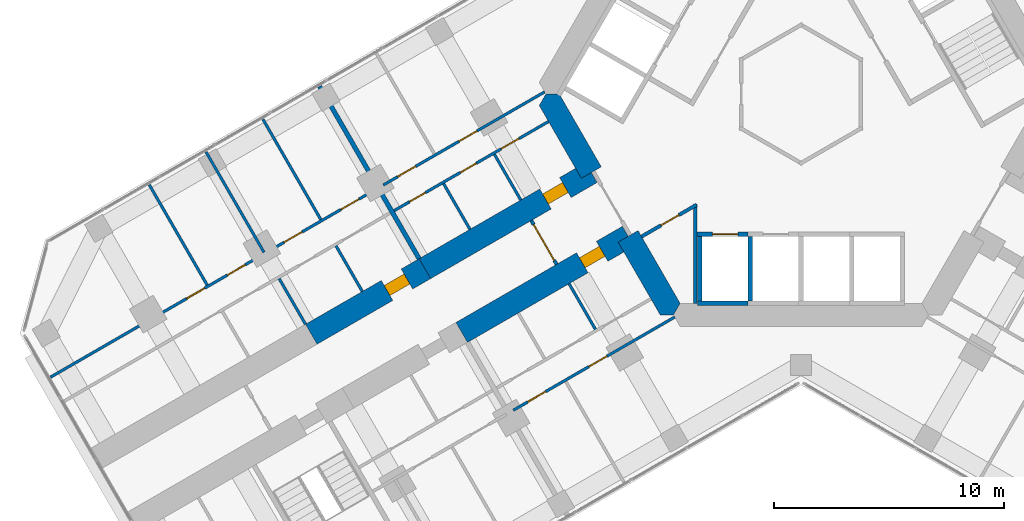
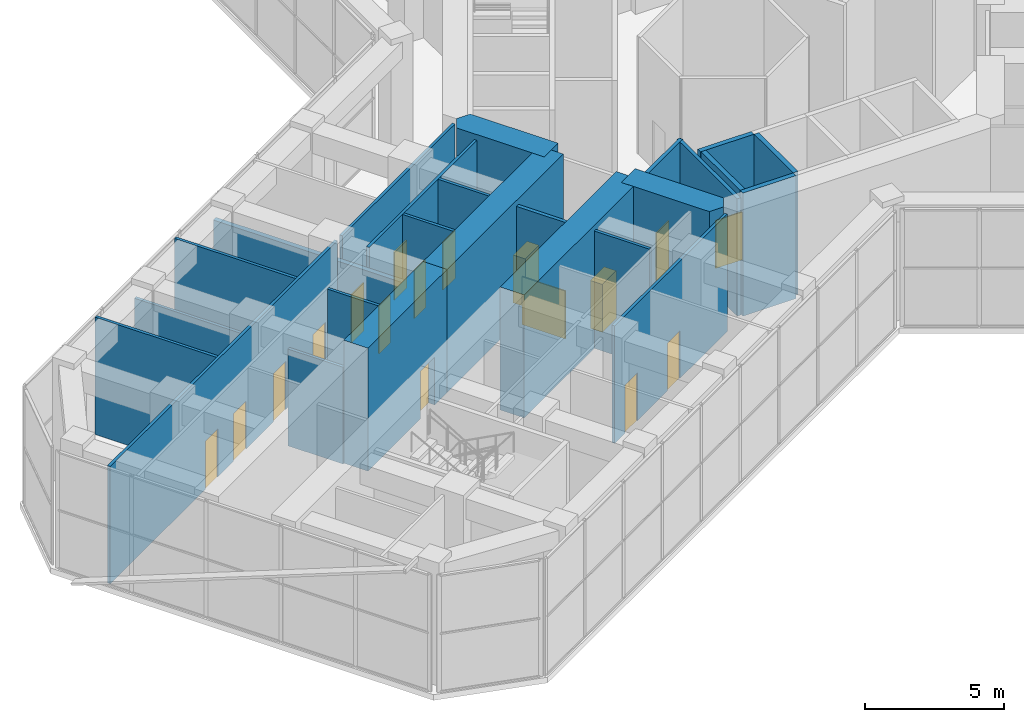
# One storey, part 15 of 23: 25 walls, 17 doors, 17 openings.
"""IFC4 building model written with IfcOpenShell, lengths in metres."""

from ifc_helpers import new_model, si_unit, direction, frame, frame_2d, origin, place, context, subcontext, project, spatial, polyline, rectangle, outline, extrude, material, layer, layer_set, type_object, element, fill, save


model = new_model("IFC4")

# Units and contexts
model_context = context("Model", 3, precision=1e-05, world=origin(), true_north=direction((0.0, 1.0)))
body_context = subcontext(model_context, "Body", "Model", "MODEL_VIEW")
ifc_project = project(units=[si_unit("LENGTHUNIT", "METRE"), si_unit("AREAUNIT", "SQUARE_METRE"), si_unit("VOLUMEUNIT", "CUBIC_METRE"), si_unit("PLANEANGLEUNIT", "RADIAN"), si_unit("MASSUNIT", "GRAM", prefix="KILO")], contexts=[model_context])

# Site, building, storey
site_placement = place(None, origin())
site = spatial("IfcSite", under=ifc_project, at=site_placement, CompositionType="ELEMENT")
building_placement = place(site_placement, origin())
building = spatial("IfcBuilding", under=site, at=building_placement, Name="Kosmar Iwan School Tower", CompositionType="ELEMENT")
storey_placement = place(building_placement, frame((0.0, 0.0, 75.39990234375)))
storey = spatial("IfcBuildingStorey", under=building, at=storey_placement, Name="L18", CompositionType="ELEMENT", Elevation=75.39990234375)

# Wall, opening, door
ifc_material_1 = material(Name="Gypsum board on steel studs, fire-rated", Category="steel")
ifc_layer_1 = layer(ifc_material_1, 0.14990234375)
ifc_layer_set_1 = layer_set([ifc_layer_1], Name="Core room partition 150")
wall_type_1 = type_object("IfcWallType", Name="Core room partition 150", PredefinedType="PARTITIONING", material=ifc_layer_set_1)
wall_1_placement = place(storey_placement, frame((-6.930908203125, -6.195556640625, 0.0), z_axis=(0.0, 0.0, 1.0), x_axis=(0.866007755774, 0.500030566006, 0.0)))
wall_1 = element("IfcWall", 1, at=wall_1_placement, inside=storey, type_object=wall_type_1, Name="Core room partition L18-CW10", PredefinedType="PARTITIONING", context=body_context, shape_type="SweptSolid", body=[
    extrude(rectangle(XDim=2.766357421875, YDim=0.14990234375, at=frame_2d((1.38330078125, 0.0))), origin(), (0.0, 0.0, 1.0), 5.150146484375),
])
opening_1_placement = place(wall_1_placement, frame((0.97607421875, 0.0, 0.0)))
opening_1 = element("IfcOpeningElement", 2, at=opening_1_placement, cuts=wall_1, Name="Opening D14", PredefinedType="OPENING", context=body_context, shape_type="SweptSolid", body=[
    extrude(rectangle(XDim=0.89990234375, YDim=2.10009765625, at=frame_2d((0.449951171875, 1.050048828125))), frame((0.0, 0.0869140625, 0.0), z_axis=(0.0, -1.0, 0.0), x_axis=(1.0, 0.0, 0.0)), (0.0, 0.0, 1.0), 0.173828125),
])
ifc_material_2 = material(Name="Timber fire door in steel frame", Category="steel")
door_type_1 = type_object("IfcDoorType", Name="Core room door 900x2100", OperationType="SINGLE_SWING_LEFT", PredefinedType="DOOR", material=ifc_material_2)
door_1_placement = place(opening_1_placement, origin())
door_1 = element("IfcDoor", 3, at=door_1_placement, inside=storey, type_object=door_type_1, Name="Communications room door L18 4", OperationType="SINGLE_SWING_RIGHT", OverallHeight=2.10009765625, OverallWidth=0.89990234375, PredefinedType="DOOR", context=body_context, shape_type="SweptSolid", body=[
    extrude(rectangle(XDim=0.89990234375, YDim=2.10009765625, at=frame_2d((0.449951171875, 1.050048828125))), frame((0.0, 0.02490234375, 0.0), z_axis=(0.0, -1.0, 0.0), x_axis=(1.0, 0.0, 0.0)), (0.0, 0.0, 1.0), 0.050048828125),
])
fill(opening_1, door_1)

# Walls
wall_2_placement = place(storey_placement, frame((-4.60009765625, -4.774658203125, 0.0), z_axis=(0.0, 0.0, 1.0), x_axis=(0.0, -1.0, 0.0)))
element("IfcWall", 4, at=wall_2_placement, inside=storey, type_object=wall_type_1, Name="Core room partition L18-CW11", PredefinedType="PARTITIONING", context=body_context, shape_type="SweptSolid", body=[
    extrude(rectangle(XDim=4.3203125, YDim=0.14990234375, at=frame_2d((2.16015625, 0.0))), origin(), (0.0, 0.0, 1.0), 5.150146484375),
])
ifc_material_3 = material(Name="Concrete C50/60", Category="concrete")
ifc_layer_2 = layer(ifc_material_3, 1.0)
ifc_layer_set_2 = layer_set([ifc_layer_2], Name="Core wall 1000")
wall_type_2 = type_object("IfcWallType", Name="Core wall 1000", PredefinedType="SHEAR", material=ifc_layer_set_2)
wall_3_placement = place(storey_placement, origin())
element("IfcWall", 5, at=wall_3_placement, inside=storey, type_object=wall_type_2, Name="Core wall F210a", PredefinedType="SHEAR", context=body_context, shape_type="SweptSolid", body=[
    extrude(outline(polyline([(-9.546875, -3.664306640625), (-8.680908203125, -3.164306640625), (-10.5078125, 0.0), (-11.085205078125, 0.0), (-11.373779296875, -0.5), (-9.546875, -3.664306640625)])), origin(), (0.0, 0.0, 1.0), 5.400146484375),
])
wall_4_placement = place(storey_placement, origin())
element("IfcWall", 6, at=wall_4_placement, inside=storey, type_object=wall_type_2, Name="Core wall F210b", PredefinedType="SHEAR", context=body_context, shape_type="SweptSolid", body=[
    extrude(outline(polyline([(-6.119873046875, -9.60009765625), (-5.54248046875, -9.60009765625), (-5.25390625, -9.10009765625), (-7.080810546875, -5.935546875), (-7.94677734375, -6.435546875), (-6.119873046875, -9.60009765625)])), origin(), (0.0, 0.0, 1.0), 5.400146484375),
])

# Wall, opening, door
ifc_material_4 = material(Name="Concrete C50/60", Category="concrete")
ifc_layer_3 = layer(ifc_material_4, 1.0)
ifc_layer_set_3 = layer_set([ifc_layer_3], Name="Corridor buttress wall 1000")
wall_type_3 = type_object("IfcWallType", Name="Corridor buttress wall 1000", PredefinedType="SHEAR", material=ifc_layer_set_3)
wall_5_placement = place(storey_placement, frame((-7.513916015625, -6.185546875, 0.0), z_axis=(0.0, 0.0, 1.0), x_axis=(-0.866019549707, -0.500010139422, 0.0)))
wall_5 = element("IfcWall", 7, at=wall_5_placement, inside=storey, type_object=wall_type_3, Name="Corridor wall BL", PredefinedType="SHEAR", context=body_context, shape_type="SweptSolid", body=[
    extrude(rectangle(XDim=8.349853515625, YDim=1.0, at=frame_2d((4.1748046875, 0.0))), origin(), (0.0, 0.0, 1.0), 5.400146484375),
])
opening_2_placement = place(wall_5_placement, frame((1.300048828125, 0.0, 0.0)))
opening_2 = element("IfcOpeningElement", 8, at=opening_2_placement, cuts=wall_5, Name="Opening D1", PredefinedType="OPENING", context=body_context, shape_type="SweptSolid", body=[
    extrude(rectangle(XDim=1.0, YDim=2.10009765625, at=frame_2d((0.5, 1.050048828125))), frame((0.0, 0.511962890625, 0.0), z_axis=(0.0, -1.0, 0.0), x_axis=(1.0, 0.0, 0.0)), (0.0, 0.0, 1.0), 1.02392578125),
])
ifc_material_5 = material(Name="Timber fire door in steel frame", Category="steel")
door_type_2 = type_object("IfcDoorType", Name="Flat entrance door 1000x2100", OperationType="SINGLE_SWING_LEFT", PredefinedType="DOOR", material=ifc_material_5)
door_2_placement = place(opening_2_placement, origin())
door_2 = element("IfcDoor", 9, at=door_2_placement, inside=storey, type_object=door_type_2, Name="Flat L18-BL1 entrance door", OperationType="SINGLE_SWING_RIGHT", OverallHeight=2.10009765625, OverallWidth=1.0, PredefinedType="DOOR", context=body_context, shape_type="SweptSolid", body=[
    extrude(rectangle(XDim=1.0, YDim=2.10009765625, at=frame_2d((0.5, 1.050048828125))), frame((0.0, 0.25, 0.0), z_axis=(0.0, -1.0, 0.0), x_axis=(1.0, 0.0, 0.0)), (0.0, 0.0, 1.0), 0.5),
])
fill(opening_2, door_2)

wall_6_placement = place(storey_placement, frame((-9.11376953125, -3.414306640625, 0.0), z_axis=(0.0, 0.0, 1.0), x_axis=(-0.866026859388, -0.499997478812, 0.0)))
wall_6 = element("IfcWall", 10, at=wall_6_placement, inside=storey, type_object=wall_type_3, Name="Corridor wall BR", PredefinedType="SHEAR", context=body_context, shape_type="SweptSolid", body=[
    extrude(rectangle(XDim=8.35009765625, YDim=1.0, at=frame_2d((4.175048828125, 0.0))), origin(), (0.0, 0.0, 1.0), 5.400146484375),
])
opening_3_placement = place(wall_6_placement, frame((1.300048828125, 0.0, 0.0)))
opening_3 = element("IfcOpeningElement", 11, at=opening_3_placement, cuts=wall_6, Name="Opening D1", PredefinedType="OPENING", context=body_context, shape_type="SweptSolid", body=[
    extrude(rectangle(XDim=1.0, YDim=2.10009765625, at=frame_2d((0.5, 1.050048828125))), frame((0.0, 0.511962890625, 0.0), z_axis=(0.0, -1.0, 0.0), x_axis=(1.0, 0.0, 0.0)), (0.0, 0.0, 1.0), 1.02392578125),
])
door_3_placement = place(opening_3_placement, origin())
door_3 = element("IfcDoor", 12, at=door_3_placement, inside=storey, type_object=door_type_2, Name="Flat L18-BR1 entrance door", OperationType="SINGLE_SWING_RIGHT", OverallHeight=2.10009765625, OverallWidth=1.0, PredefinedType="DOOR", context=body_context, shape_type="SweptSolid", body=[
    extrude(rectangle(XDim=1.0, YDim=2.10009765625, at=frame_2d((0.5, 1.050048828125))), frame((0.0, 0.25, 0.0), z_axis=(0.0, -1.0, 0.0), x_axis=(1.0, 0.0, 0.0)), (0.0, 0.0, 1.0), 0.5),
])
fill(opening_3, door_3)

wall_7_placement = place(storey_placement, frame((-16.34521484375, -7.58935546875, 0.0), z_axis=(0.0, 0.0, 1.0), x_axis=(-0.866015111908, -0.50001782563, 0.0)))
wall_7 = element("IfcWall", 13, at=wall_7_placement, inside=storey, type_object=wall_type_3, Name="Corridor wall BR bay 2", PredefinedType="SHEAR", context=body_context, shape_type="SweptSolid", body=[
    extrude(rectangle(XDim=5.699951171875, YDim=1.0, at=frame_2d((2.85009765625, 0.0))), origin(), (0.0, 0.0, 1.0), 5.400146484375),
])
opening_4_placement = place(wall_7_placement, frame((0.89990234375, 0.0, 0.0)))
opening_4 = element("IfcOpeningElement", 14, at=opening_4_placement, cuts=wall_7, Name="Opening D1", PredefinedType="OPENING", context=body_context, shape_type="SweptSolid", body=[
    extrude(rectangle(XDim=1.0, YDim=2.10009765625, at=frame_2d((0.5, 1.050048828125))), frame((0.0, 0.511962890625, 0.0), z_axis=(0.0, -1.0, 0.0), x_axis=(1.0, 0.0, 0.0)), (0.0, 0.0, 1.0), 1.02392578125),
])
door_4_placement = place(opening_4_placement, origin())
door_4 = element("IfcDoor", 15, at=door_4_placement, inside=storey, type_object=door_type_2, Name="Flat L18-BR2 entrance door", OperationType="SINGLE_SWING_LEFT", OverallHeight=2.10009765625, OverallWidth=1.0, PredefinedType="DOOR", context=body_context, shape_type="SweptSolid", body=[
    extrude(rectangle(XDim=1.0, YDim=2.10009765625, at=frame_2d((0.5, 1.050048828125))), frame((0.0, 0.25, 0.0), z_axis=(0.0, -1.0, 0.0), x_axis=(1.0, 0.0, 0.0)), (0.0, 0.0, 1.0), 0.5),
])
fill(opening_4, door_4)

ifc_material_6 = material(Name="Gypsum board on steel studs, fire-rated", Category="steel")
ifc_layer_4 = layer(ifc_material_6, 0.14990234375)
ifc_layer_set_4 = layer_set([ifc_layer_4], Name="Corridor end wall 150")
wall_type_4 = type_object("IfcWallType", Name="Corridor end wall 150", PredefinedType="PARTITIONING", material=ifc_layer_set_4)
wall_8_placement = place(storey_placement, frame((-11.7216796875, -5.497314453125, 0.0), z_axis=(0.0, 0.0, 1.0), x_axis=(0.499946605688, -0.86605622881, 0.0)))
wall_8 = element("IfcWall", 16, at=wall_8_placement, inside=storey, type_object=wall_type_4, Name="Partition L18-B-HW", PredefinedType="PARTITIONING", context=body_context, shape_type="SweptSolid", body=[
    extrude(rectangle(XDim=2.199951171875, YDim=0.14990234375, at=frame_2d((1.10009765625, 0.0))), origin(), (0.0, 0.0, 1.0), 5.150146484375),
])
opening_5_placement = place(wall_8_placement, frame((0.199951171875, 0.0, 0.0)))
opening_5 = element("IfcOpeningElement", 17, at=opening_5_placement, cuts=wall_8, Name="Opening D9", PredefinedType="OPENING", context=body_context, shape_type="SweptSolid", body=[
    extrude(rectangle(XDim=1.800048828125, YDim=2.10009765625, at=frame_2d((0.89990234375, 1.050048828125))), frame((0.0, 0.0869140625, 0.0), z_axis=(0.0, -1.0, 0.0), x_axis=(1.0, 0.0, 0.0)), (0.0, 0.0, 1.0), 0.173828125),
])
ifc_material_7 = material(Name="Steel framed glazed smoke door", Category="steel")
door_type_3 = type_object("IfcDoorType", Name="Corridor smoke door pair 1800x2100", OperationType="DOUBLE_DOOR_DOUBLE_SWING", PredefinedType="DOOR", material=ifc_material_7)
door_5_placement = place(opening_5_placement, origin())
door_5 = element("IfcDoor", 18, at=door_5_placement, inside=storey, type_object=door_type_3, Name="Entrance vestibule smoke doors L18-B", OperationType="DOUBLE_DOOR_DOUBLE_SWING", OverallHeight=2.10009765625, OverallWidth=1.800048828125, PredefinedType="DOOR", context=body_context, shape_type="SweptSolid", body=[
    extrude(rectangle(XDim=1.800048828125, YDim=2.10009765625, at=frame_2d((0.89990234375, 1.050048828125))), frame((0.0, 0.02490234375, 0.0), z_axis=(0.0, -1.0, 0.0), x_axis=(1.0, 0.0, 0.0)), (0.0, 0.0, 1.0), 0.050048828125),
])
fill(opening_5, door_5)

# Wall, openings, doors
ifc_material_8 = material(Name="Gypsum board on steel studs", Category="steel")
ifc_layer_5 = layer(ifc_material_8, 0.1201171875)
ifc_layer_set_5 = layer_set([ifc_layer_5], Name="Dwelling partition 120")
wall_type_5 = type_object("IfcWallType", Name="Dwelling partition 120", PredefinedType="PARTITIONING", material=ifc_layer_set_5)
wall_9_placement = place(storey_placement, frame((-5.48876953125, -9.693115234375, 0.0), z_axis=(0.0, 0.0, 1.0), x_axis=(-0.866025472755, -0.499999880539, 0.0)))
wall_9 = element("IfcWall", 19, at=wall_9_placement, inside=storey, type_object=wall_type_5, Name="Partition L18-BL1-W2", PredefinedType="PARTITIONING", context=body_context, shape_type="SweptSolid", body=[
    extrude(rectangle(XDim=8.10009765625, YDim=0.1201171875, at=frame_2d((4.050048828125, 0.0))), origin(), (0.0, 0.0, 1.0), 5.150146484375),
])
opening_6_placement = place(wall_9_placement, frame((3.39990234375, 0.0, 0.0)))
opening_6 = element("IfcOpeningElement", 20, at=opening_6_placement, cuts=wall_9, Name="Opening D2", PredefinedType="OPENING", context=body_context, shape_type="SweptSolid", body=[
    extrude(rectangle(XDim=0.89990234375, YDim=2.10009765625, at=frame_2d((0.449951171875, 1.050048828125))), frame((0.0, 0.072021484375, 0.0), z_axis=(0.0, -1.0, 0.0), x_axis=(1.0, 0.0, 0.0)), (0.0, 0.0, 1.0), 0.14404296875),
])
opening_7_placement = place(wall_9_placement, frame((6.47509765625, 0.0, 0.0)))
opening_7 = element("IfcOpeningElement", 21, at=opening_7_placement, cuts=wall_9, Name="Opening D2", PredefinedType="OPENING", context=body_context, shape_type="SweptSolid", body=[
    extrude(rectangle(XDim=0.89990234375, YDim=2.10009765625, at=frame_2d((0.449951171875, 1.050048828125))), frame((0.0, 0.072021484375, 0.0), z_axis=(0.0, -1.0, 0.0), x_axis=(1.0, 0.0, 0.0)), (0.0, 0.0, 1.0), 0.14404296875),
])
ifc_material_9 = material(Name="Timber door in timber frame", Category="wood")
door_type_4 = type_object("IfcDoorType", Name="Internal door 900x2100", OperationType="SINGLE_SWING_LEFT", PredefinedType="DOOR", material=ifc_material_9)
door_6_placement = place(opening_6_placement, origin())
door_6 = element("IfcDoor", 22, at=door_6_placement, inside=storey, type_object=door_type_4, Name="Living room and kitchen door L18-BL1-F1", OperationType="SINGLE_SWING_RIGHT", OverallHeight=2.10009765625, OverallWidth=0.89990234375, PredefinedType="DOOR", context=body_context, shape_type="SweptSolid", body=[
    extrude(rectangle(XDim=0.89990234375, YDim=2.10009765625, at=frame_2d((0.449951171875, 1.050048828125))), frame((0.0, 0.02490234375, 0.0), z_axis=(0.0, -1.0, 0.0), x_axis=(1.0, 0.0, 0.0)), (0.0, 0.0, 1.0), 0.050048828125),
])
fill(opening_6, door_6)
door_7_placement = place(opening_7_placement, origin())
door_7 = element("IfcDoor", 23, at=door_7_placement, inside=storey, type_object=door_type_4, Name="Bedroom 1 door L18-BL1-F2", OperationType="SINGLE_SWING_RIGHT", OverallHeight=2.10009765625, OverallWidth=0.89990234375, PredefinedType="DOOR", context=body_context, shape_type="SweptSolid", body=[
    extrude(rectangle(XDim=0.89990234375, YDim=2.10009765625, at=frame_2d((0.449951171875, 1.050048828125))), frame((0.0, 0.02490234375, 0.0), z_axis=(0.0, -1.0, 0.0), x_axis=(1.0, 0.0, 0.0)), (0.0, 0.0, 1.0), 0.050048828125),
])
fill(opening_7, door_7)

# Wall
wall_10_placement = place(storey_placement, frame((-10.078369140625, -8.24365234375, 0.0), z_axis=(0.0, 0.0, 1.0), x_axis=(0.500014693593, -0.866016920268, 0.0)))
element("IfcWall", 24, at=wall_10_placement, inside=storey, type_object=wall_type_5, Name="Partition L18-BL1-Y1", PredefinedType="PARTITIONING", context=body_context, shape_type="SweptSolid", body=[
    extrude(rectangle(XDim=2.2900390625, YDim=0.1201171875, at=frame_2d((1.14501953125, 0.0))), origin(), (0.0, 0.0, 1.0), 5.150146484375),
])

# Wall, openings, doors
wall_11_placement = place(storey_placement, frame((-10.971923828125, -1.1962890625, 0.0), z_axis=(0.0, 0.0, 1.0), x_axis=(-0.866024534185, -0.500001506187, 0.0)))
wall_11 = element("IfcWall", 25, at=wall_11_placement, inside=storey, type_object=wall_type_5, Name="Partition L18-BR1-W1", PredefinedType="PARTITIONING", context=body_context, shape_type="SweptSolid", body=[
    extrude(rectangle(XDim=7.75, YDim=0.1201171875, at=frame_2d((3.875, 0.0))), origin(), (0.0, 0.0, 1.0), 5.150146484375),
])
opening_8_placement = place(wall_11_placement, frame((1.47509765625, 0.0, 0.0)))
opening_8 = element("IfcOpeningElement", 26, at=opening_8_placement, cuts=wall_11, Name="Opening D2", PredefinedType="OPENING", context=body_context, shape_type="SweptSolid", body=[
    extrude(rectangle(XDim=0.89990234375, YDim=2.10009765625, at=frame_2d((0.449951171875, 1.050048828125))), frame((0.0, 0.072021484375, 0.0), z_axis=(0.0, -1.0, 0.0), x_axis=(1.0, 0.0, 0.0)), (0.0, 0.0, 1.0), 0.14404296875),
])
opening_9_placement = place(wall_11_placement, frame((3.625, 0.0, 0.0)))
opening_9 = element("IfcOpeningElement", 27, at=opening_9_placement, cuts=wall_11, Name="Opening D3", PredefinedType="OPENING", context=body_context, shape_type="SweptSolid", body=[
    extrude(rectangle(XDim=0.800048828125, YDim=2.10009765625, at=frame_2d((0.39990234375, 1.050048828125))), frame((0.0, 0.072021484375, 0.0), z_axis=(0.0, -1.0, 0.0), x_axis=(1.0, 0.0, 0.0)), (0.0, 0.0, 1.0), 0.14404296875),
])
opening_10_placement = place(wall_11_placement, frame((6.175048828125, 0.0, 0.0)))
opening_10 = element("IfcOpeningElement", 28, at=opening_10_placement, cuts=wall_11, Name="Opening D3", PredefinedType="OPENING", context=body_context, shape_type="SweptSolid", body=[
    extrude(rectangle(XDim=0.800048828125, YDim=2.10009765625, at=frame_2d((0.39990234375, 1.050048828125))), frame((0.0, 0.072021484375, 0.0), z_axis=(0.0, -1.0, 0.0), x_axis=(1.0, 0.0, 0.0)), (0.0, 0.0, 1.0), 0.14404296875),
])
door_8_placement = place(opening_8_placement, origin())
door_8 = element("IfcDoor", 29, at=door_8_placement, inside=storey, type_object=door_type_4, Name="Entrance hall door L18-BR1-S1", OperationType="SINGLE_SWING_RIGHT", OverallHeight=2.10009765625, OverallWidth=0.89990234375, PredefinedType="DOOR", context=body_context, shape_type="SweptSolid", body=[
    extrude(rectangle(XDim=0.89990234375, YDim=2.10009765625, at=frame_2d((0.449951171875, 1.050048828125))), frame((0.0, 0.02490234375, 0.0), z_axis=(0.0, -1.0, 0.0), x_axis=(1.0, 0.0, 0.0)), (0.0, 0.0, 1.0), 0.050048828125),
])
fill(opening_8, door_8)
ifc_material_10 = material(Name="Timber door in timber frame", Category="wood")
door_type_5 = type_object("IfcDoorType", Name="Sanitary room door 800x2100", OperationType="SINGLE_SWING_LEFT", PredefinedType="DOOR", material=ifc_material_10)
door_9_placement = place(opening_9_placement, origin())
door_9 = element("IfcDoor", 30, at=door_9_placement, inside=storey, type_object=door_type_5, Name="Bathroom door L18-BR1-S2", OperationType="SINGLE_SWING_LEFT", OverallHeight=2.10009765625, OverallWidth=0.800048828125, PredefinedType="DOOR", context=body_context, shape_type="SweptSolid", body=[
    extrude(rectangle(XDim=0.800048828125, YDim=2.10009765625, at=frame_2d((0.39990234375, 1.050048828125))), frame((0.0, 0.02490234375, 0.0), z_axis=(0.0, -1.0, 0.0), x_axis=(1.0, 0.0, 0.0)), (0.0, 0.0, 1.0), 0.050048828125),
])
fill(opening_9, door_9)
door_10_placement = place(opening_10_placement, origin())
door_10 = element("IfcDoor", 31, at=door_10_placement, inside=storey, type_object=door_type_5, Name="Store door L18-BR1-S3", OperationType="SINGLE_SWING_RIGHT", OverallHeight=2.10009765625, OverallWidth=0.800048828125, PredefinedType="DOOR", context=body_context, shape_type="SweptSolid", body=[
    extrude(rectangle(XDim=0.800048828125, YDim=2.10009765625, at=frame_2d((0.39990234375, 1.050048828125))), frame((0.0, 0.02490234375, 0.0), z_axis=(0.0, -1.0, 0.0), x_axis=(1.0, 0.0, 0.0)), (0.0, 0.0, 1.0), 0.050048828125),
])
fill(opening_10, door_10)

wall_12_placement = place(storey_placement, frame((-11.138916015625, 0.093017578125, 0.0), z_axis=(0.0, 0.0, 1.0), x_axis=(-0.866017937352, -0.500012932018, 0.0)))
wall_12 = element("IfcWall", 32, at=wall_12_placement, inside=storey, type_object=wall_type_5, Name="Partition L18-BR1-W2", PredefinedType="PARTITIONING", context=body_context, shape_type="SweptSolid", body=[
    extrude(rectangle(XDim=8.099853515625, YDim=0.1201171875, at=frame_2d((4.0498046875, 0.0))), origin(), (0.0, 0.0, 1.0), 5.150146484375),
])
opening_11_placement = place(wall_12_placement, frame((3.39990234375, 0.0, 0.0)))
opening_11 = element("IfcOpeningElement", 33, at=opening_11_placement, cuts=wall_12, Name="Opening D2", PredefinedType="OPENING", context=body_context, shape_type="SweptSolid", body=[
    extrude(rectangle(XDim=0.89990234375, YDim=2.10009765625, at=frame_2d((0.449951171875, 1.050048828125))), frame((0.0, 0.072021484375, 0.0), z_axis=(0.0, -1.0, 0.0), x_axis=(1.0, 0.0, 0.0)), (0.0, 0.0, 1.0), 0.14404296875),
])
opening_12_placement = place(wall_12_placement, frame((6.47509765625, 0.0, 0.0)))
opening_12 = element("IfcOpeningElement", 34, at=opening_12_placement, cuts=wall_12, Name="Opening D2", PredefinedType="OPENING", context=body_context, shape_type="SweptSolid", body=[
    extrude(rectangle(XDim=0.89990234375, YDim=2.10009765625, at=frame_2d((0.449951171875, 1.050048828125))), frame((0.0, 0.072021484375, 0.0), z_axis=(0.0, -1.0, 0.0), x_axis=(1.0, 0.0, 0.0)), (0.0, 0.0, 1.0), 0.14404296875),
])
door_11_placement = place(opening_11_placement, origin())
door_11 = element("IfcDoor", 35, at=door_11_placement, inside=storey, type_object=door_type_4, Name="Living room and kitchen door L18-BR1-F1", OperationType="SINGLE_SWING_LEFT", OverallHeight=2.10009765625, OverallWidth=0.89990234375, PredefinedType="DOOR", context=body_context, shape_type="SweptSolid", body=[
    extrude(rectangle(XDim=0.89990234375, YDim=2.10009765625, at=frame_2d((0.449951171875, 1.050048828125))), frame((0.0, 0.02490234375, 0.0), z_axis=(0.0, -1.0, 0.0), x_axis=(1.0, 0.0, 0.0)), (0.0, 0.0, 1.0), 0.050048828125),
])
fill(opening_11, door_11)
door_12_placement = place(opening_12_placement, origin())
door_12 = element("IfcDoor", 36, at=door_12_placement, inside=storey, type_object=door_type_4, Name="Bedroom 1 door L18-BR1-F2", OperationType="SINGLE_SWING_RIGHT", OverallHeight=2.10009765625, OverallWidth=0.89990234375, PredefinedType="DOOR", context=body_context, shape_type="SweptSolid", body=[
    extrude(rectangle(XDim=0.89990234375, YDim=2.10009765625, at=frame_2d((0.449951171875, 1.050048828125))), frame((0.0, 0.02490234375, 0.0), z_axis=(0.0, -1.0, 0.0), x_axis=(1.0, 0.0, 0.0)), (0.0, 0.0, 1.0), 0.050048828125),
])
fill(opening_12, door_12)

# Walls
wall_13_placement = place(storey_placement, frame((-12.178466796875, -4.6064453125, 0.0), z_axis=(0.0, 0.0, 1.0), x_axis=(-0.499968531483, 0.866043571379, 0.0)))
element("IfcWall", 37, at=wall_13_placement, inside=storey, type_object=wall_type_5, Name="Partition L18-BR1-Y1", PredefinedType="PARTITIONING", context=body_context, shape_type="SweptSolid", body=[
    extrude(rectangle(XDim=2.290283203125, YDim=0.1201171875, at=frame_2d((1.14501953125, 0.0))), origin(), (0.0, 0.0, 1.0), 5.150146484375),
])
wall_14_placement = place(storey_placement, frame((-14.38671875, -5.88134765625, 0.0), z_axis=(0.0, 0.0, 1.0), x_axis=(-0.500014693593, 0.866016920268, 0.0)))
element("IfcWall", 38, at=wall_14_placement, inside=storey, type_object=wall_type_5, Name="Partition L18-BR1-Y2", PredefinedType="PARTITIONING", context=body_context, shape_type="SweptSolid", body=[
    extrude(rectangle(XDim=2.2900390625, YDim=0.1201171875, at=frame_2d((1.14501953125, 0.0))), origin(), (0.0, 0.0, 1.0), 5.150146484375),
])

# Wall, openings, doors
wall_15_placement = place(storey_placement, frame((-18.456787109375, -4.1318359375, 0.0), z_axis=(0.0, 0.0, 1.0), x_axis=(-0.866023907196, -0.500002592159, 0.0)))
wall_15 = element("IfcWall", 39, at=wall_15_placement, inside=storey, type_object=wall_type_5, Name="Partition L18-BR2-W2", PredefinedType="PARTITIONING", context=body_context, shape_type="SweptSolid", body=[
    extrude(rectangle(XDim=16.34521484375, YDim=0.1201171875, at=frame_2d((8.172607421875, 0.0))), origin(), (0.0, 0.0, 1.0), 5.150146484375),
])
opening_13_placement = place(wall_15_placement, frame((0.875, 0.0, 0.0)))
opening_13 = element("IfcOpeningElement", 40, at=opening_13_placement, cuts=wall_15, Name="Opening D2", PredefinedType="OPENING", context=body_context, shape_type="SweptSolid", body=[
    extrude(rectangle(XDim=0.89990234375, YDim=2.10009765625, at=frame_2d((0.449951171875, 1.050048828125))), frame((0.0, 0.072021484375, 0.0), z_axis=(0.0, -1.0, 0.0), x_axis=(1.0, 0.0, 0.0)), (0.0, 0.0, 1.0), 0.14404296875),
])
opening_14_placement = place(wall_15_placement, frame((3.72509765625, 0.0, 0.0)))
opening_14 = element("IfcOpeningElement", 41, at=opening_14_placement, cuts=wall_15, Name="Opening D2", PredefinedType="OPENING", context=body_context, shape_type="SweptSolid", body=[
    extrude(rectangle(XDim=0.89990234375, YDim=2.10009765625, at=frame_2d((0.449951171875, 1.050048828125))), frame((0.0, 0.072021484375, 0.0), z_axis=(0.0, -1.0, 0.0), x_axis=(1.0, 0.0, 0.0)), (0.0, 0.0, 1.0), 0.14404296875),
])
opening_15_placement = place(wall_15_placement, frame((6.574951171875, 0.0, 0.0)))
opening_15 = element("IfcOpeningElement", 42, at=opening_15_placement, cuts=wall_15, Name="Opening D2", PredefinedType="OPENING", context=body_context, shape_type="SweptSolid", body=[
    extrude(rectangle(XDim=0.89990234375, YDim=2.10009765625, at=frame_2d((0.449951171875, 1.050048828125))), frame((0.0, 0.072021484375, 0.0), z_axis=(0.0, -1.0, 0.0), x_axis=(1.0, 0.0, 0.0)), (0.0, 0.0, 1.0), 0.14404296875),
])
opening_16_placement = place(wall_15_placement, frame((8.610107421875, 0.0, 0.0)))
opening_16 = element("IfcOpeningElement", 43, at=opening_16_placement, cuts=wall_15, Name="Opening D2", PredefinedType="OPENING", context=body_context, shape_type="SweptSolid", body=[
    extrude(rectangle(XDim=0.89990234375, YDim=2.10009765625, at=frame_2d((0.449951171875, 1.050048828125))), frame((0.0, 0.072021484375, 0.0), z_axis=(0.0, -1.0, 0.0), x_axis=(1.0, 0.0, 0.0)), (0.0, 0.0, 1.0), 0.14404296875),
])
door_13_placement = place(opening_13_placement, origin())
door_13 = element("IfcDoor", 44, at=door_13_placement, inside=storey, type_object=door_type_4, Name="Bedroom 1 door L18-BR2-F1", OperationType="SINGLE_SWING_LEFT", OverallHeight=2.10009765625, OverallWidth=0.89990234375, PredefinedType="DOOR", context=body_context, shape_type="SweptSolid", body=[
    extrude(rectangle(XDim=0.89990234375, YDim=2.10009765625, at=frame_2d((0.449951171875, 1.050048828125))), frame((0.0, 0.02490234375, 0.0), z_axis=(0.0, -1.0, 0.0), x_axis=(1.0, 0.0, 0.0)), (0.0, 0.0, 1.0), 0.050048828125),
])
fill(opening_13, door_13)
door_14_placement = place(opening_14_placement, origin())
door_14 = element("IfcDoor", 45, at=door_14_placement, inside=storey, type_object=door_type_4, Name="Bedroom 2 door L18-BR2-F2", OperationType="SINGLE_SWING_LEFT", OverallHeight=2.10009765625, OverallWidth=0.89990234375, PredefinedType="DOOR", context=body_context, shape_type="SweptSolid", body=[
    extrude(rectangle(XDim=0.89990234375, YDim=2.10009765625, at=frame_2d((0.449951171875, 1.050048828125))), frame((0.0, 0.02490234375, 0.0), z_axis=(0.0, -1.0, 0.0), x_axis=(1.0, 0.0, 0.0)), (0.0, 0.0, 1.0), 0.050048828125),
])
fill(opening_14, door_14)
door_15_placement = place(opening_15_placement, origin())
door_15 = element("IfcDoor", 46, at=door_15_placement, inside=storey, type_object=door_type_4, Name="Bedroom 3 door L18-BR2-F3", OperationType="SINGLE_SWING_LEFT", OverallHeight=2.10009765625, OverallWidth=0.89990234375, PredefinedType="DOOR", context=body_context, shape_type="SweptSolid", body=[
    extrude(rectangle(XDim=0.89990234375, YDim=2.10009765625, at=frame_2d((0.449951171875, 1.050048828125))), frame((0.0, 0.02490234375, 0.0), z_axis=(0.0, -1.0, 0.0), x_axis=(1.0, 0.0, 0.0)), (0.0, 0.0, 1.0), 0.050048828125),
])
fill(opening_15, door_15)
door_16_placement = place(opening_16_placement, origin())
door_16 = element("IfcDoor", 47, at=door_16_placement, inside=storey, type_object=door_type_4, Name="Living room and kitchen door L18-BR2-F4", OperationType="SINGLE_SWING_RIGHT", OverallHeight=2.10009765625, OverallWidth=0.89990234375, PredefinedType="DOOR", context=body_context, shape_type="SweptSolid", body=[
    extrude(rectangle(XDim=0.89990234375, YDim=2.10009765625, at=frame_2d((0.449951171875, 1.050048828125))), frame((0.0, 0.02490234375, 0.0), z_axis=(0.0, -1.0, 0.0), x_axis=(1.0, 0.0, 0.0)), (0.0, 0.0, 1.0), 0.050048828125),
])
fill(opening_16, door_16)

# Walls
wall_16_placement = place(storey_placement, frame((-20.868408203125, -5.455078125, 0.0), z_axis=(0.0, 0.0, 1.0), x_axis=(-0.499961700219, 0.866047515044, 0.0)))
element("IfcWall", 48, at=wall_16_placement, inside=storey, type_object=wall_type_5, Name="Partition L18-BR2-X1", PredefinedType="PARTITIONING", context=body_context, shape_type="SweptSolid", body=[
    extrude(rectangle(XDim=5.03515625, YDim=0.1201171875, at=frame_2d((2.517578125, 0.0))), origin(), (0.0, 0.0, 1.0), 5.150146484375),
])
wall_17_placement = place(storey_placement, frame((-23.33642578125, -6.8798828125, 0.0), z_axis=(0.0, 0.0, 1.0), x_axis=(-0.500019063067, 0.866014397438, 0.0)))
element("IfcWall", 49, at=wall_17_placement, inside=storey, type_object=wall_type_5, Name="Partition L18-BR2-X2", PredefinedType="PARTITIONING", context=body_context, shape_type="SweptSolid", body=[
    extrude(rectangle(XDim=5.034912109375, YDim=0.1201171875, at=frame_2d((2.517578125, 0.0))), origin(), (0.0, 0.0, 1.0), 4.25),
])
wall_18_placement = place(storey_placement, frame((-25.8046875, -8.304931640625, 0.0), z_axis=(0.0, 0.0, 1.0), x_axis=(-0.500019063067, 0.866014397438, 0.0)))
element("IfcWall", 50, at=wall_18_placement, inside=storey, type_object=wall_type_5, Name="Partition L18-BR2-X3", PredefinedType="PARTITIONING", context=body_context, shape_type="SweptSolid", body=[
    extrude(rectangle(XDim=5.034912109375, YDim=0.1201171875, at=frame_2d((2.517578125, 0.0))), origin(), (0.0, 0.0, 1.0), 5.150146484375),
])
wall_19_placement = place(storey_placement, frame((-19.063232421875, -8.581298828125, 0.0), z_axis=(0.0, 0.0, 1.0), x_axis=(-0.500014693593, 0.866016920268, 0.0)))
element("IfcWall", 51, at=wall_19_placement, inside=storey, type_object=wall_type_5, Name="Partition L18-BR2-Y1", PredefinedType="PARTITIONING", context=body_context, shape_type="SweptSolid", body=[
    extrude(rectangle(XDim=2.2900390625, YDim=0.1201171875, at=frame_2d((1.14501953125, 0.0))), origin(), (0.0, 0.0, 1.0), 5.150146484375),
])
wall_20_placement = place(storey_placement, frame((-21.531494140625, -10.00634765625, 0.0), z_axis=(0.0, 0.0, 1.0), x_axis=(-0.500014693593, 0.866016920268, 0.0)))
element("IfcWall", 52, at=wall_20_placement, inside=storey, type_object=wall_type_5, Name="Partition L18-BR2-Y2", PredefinedType="PARTITIONING", context=body_context, shape_type="SweptSolid", body=[
    extrude(rectangle(XDim=2.2900390625, YDim=0.1201171875, at=frame_2d((1.14501953125, 0.0))), origin(), (0.0, 0.0, 1.0), 4.25),
])

# Wall, opening, door
ifc_material_11 = material(Name="Concrete C50/60", Category="concrete")
ifc_layer_6 = layer(ifc_material_11, 0.199951171875)
ifc_layer_set_6 = layer_set([ifc_layer_6], Name="Lift shaft wall 200")
wall_type_6 = type_object("IfcWallType", Name="Lift shaft wall 200", PredefinedType="SHEAR", material=ifc_layer_set_6)
wall_21_placement = place(storey_placement, frame((-4.52490234375, -6.10009765625, 0.0), z_axis=(0.0, 0.0, 1.0), x_axis=(1.0, 0.0, 0.0)))
wall_21 = element("IfcWall", 53, at=wall_21_placement, inside=storey, type_object=wall_type_6, Name="Lift and stair front wall BC", PredefinedType="SHEAR", context=body_context, shape_type="SweptSolid", body=[
    extrude(rectangle(XDim=2.224853515625, YDim=0.199951171875, at=frame_2d((1.1123046875, 0.0))), origin(), (0.0, 0.0, 1.0), 5.400146484375),
])
opening_17_placement = place(wall_21_placement, frame((0.675048828125, 0.0, 0.0)))
opening_17 = element("IfcOpeningElement", 54, at=opening_17_placement, cuts=wall_21, Name="Opening LD1", PredefinedType="OPENING", context=body_context, shape_type="SweptSolid", body=[
    extrude(rectangle(XDim=1.10009765625, YDim=2.10009765625, at=frame_2d((0.550048828125, 1.050048828125))), frame((0.0, 0.112060546875, 0.0), z_axis=(0.0, -1.0, 0.0), x_axis=(1.0, 0.0, 0.0)), (0.0, 0.0, 1.0), 0.223876953125),
])
ifc_material_12 = material(Name="Stainless steel sliding lift door", Category="steel")
door_type_6 = type_object("IfcDoorType", Name="Lift landing door 1100x2100", OperationType="SLIDING_TO_LEFT", PredefinedType="DOOR", material=ifc_material_12)
door_17_placement = place(opening_17_placement, origin())
door_17 = element("IfcDoor", 55, at=door_17_placement, inside=storey, type_object=door_type_6, Name="Lift PL1 landing door L18", OperationType="SLIDING_TO_LEFT", OverallHeight=2.10009765625, OverallWidth=1.10009765625, PredefinedType="DOOR", context=body_context, shape_type="SweptSolid", body=[
    extrude(rectangle(XDim=1.10009765625, YDim=2.10009765625, at=frame_2d((0.550048828125, 1.050048828125))), frame((0.0, 0.02490234375, 0.0), z_axis=(0.0, -1.0, 0.0), x_axis=(1.0, 0.0, 0.0)), (0.0, 0.0, 1.0), 0.050048828125),
])
fill(opening_17, door_17)

# Walls
wall_22_placement = place(storey_placement, frame((-4.5, -9.10009765625, 0.0), z_axis=(0.0, 0.0, 1.0), x_axis=(1.0, 0.0, 0.0)))
element("IfcWall", 56, at=wall_22_placement, inside=storey, type_object=wall_type_6, Name="Lift and stair back wall BC", PredefinedType="SHEAR", context=body_context, shape_type="SweptSolid", body=[
    extrude(rectangle(XDim=2.199951171875, YDim=0.199951171875, at=frame_2d((1.10009765625, 0.0))), origin(), (0.0, 0.0, 1.0), 5.400146484375),
])
for number, where, z_axis, x_axis, name in (
    (57, (-4.39990234375, -6.199951171875, 0.0), (0.0, 0.0, 1.0), (0.0, -1.0, 0.0), "Lift shaft wall BC 0"),
    (58, (-2.199951171875, -6.199951171875, 0.0), (0.0, 0.0, 1.0), (0.0, -1.0, 0.0), "Lift shaft wall BC 1"),
):
    element("IfcWall", number, at=place(storey_placement, frame(where, z_axis=z_axis, x_axis=x_axis)), inside=storey, type_object=wall_type_6, Name=name, PredefinedType="SHEAR", context=body_context, shape_type="SweptSolid", body=[
        extrude(rectangle(XDim=2.800048828125, YDim=0.199951171875, at=frame_2d((1.39990234375, 0.0))), origin(), (0.0, 0.0, 1.0), 5.400146484375),
    ])
ifc_material_13 = material(Name="Concrete block masonry", Category="masonry")
ifc_layer_7 = layer(ifc_material_13, 0.199951171875)
ifc_layer_set_7 = layer_set([ifc_layer_7], Name="Party wall 200")
wall_type_7 = type_object("IfcWallType", Name="Party wall 200", PredefinedType="PARTITIONING", material=ifc_layer_set_7)
wall_23_placement = place(storey_placement, frame((-16.59521484375, -7.15625, 0.0), z_axis=(0.0, 0.0, 1.0), x_axis=(-0.499999505331, 0.866025689381, 0.0)))
element("IfcWall", 59, at=wall_23_placement, inside=storey, type_object=wall_type_7, Name="Partition L18-BR2-PW", PredefinedType="PARTITIONING", context=body_context, shape_type="SweptSolid", body=[
    extrude(rectangle(XDim=8.64501953125, YDim=0.199951171875, at=frame_2d((4.322509765625, 0.0))), origin(), (0.0, 0.0, 1.0), 4.25),
])

save(model, "model.ifc")
